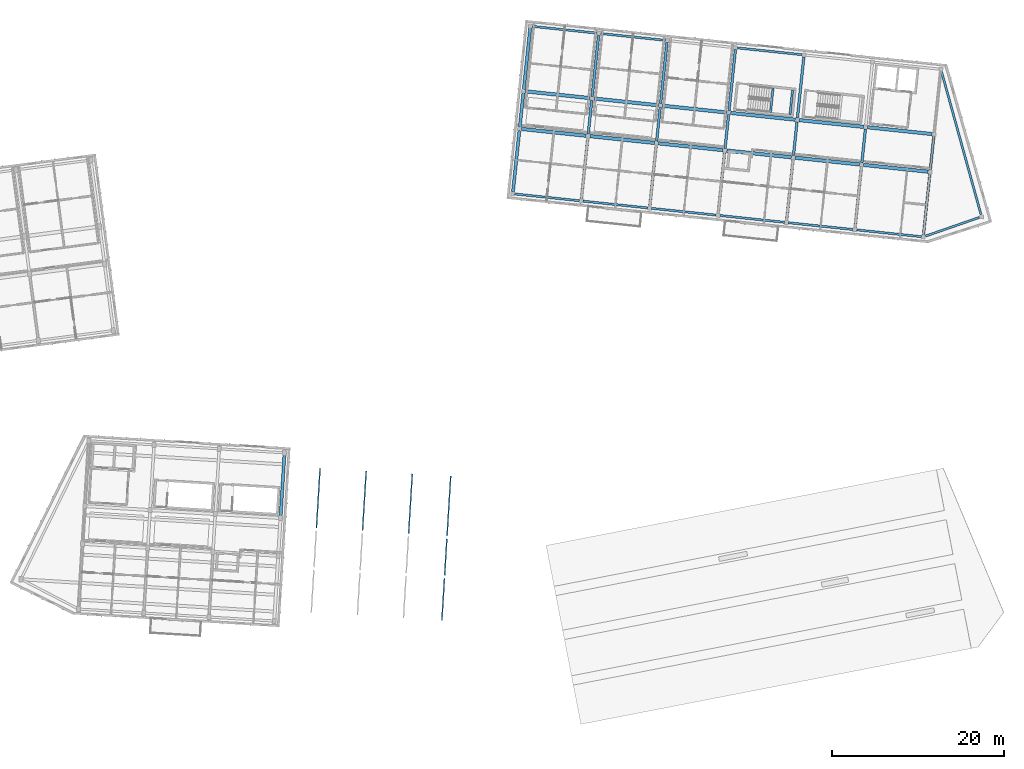
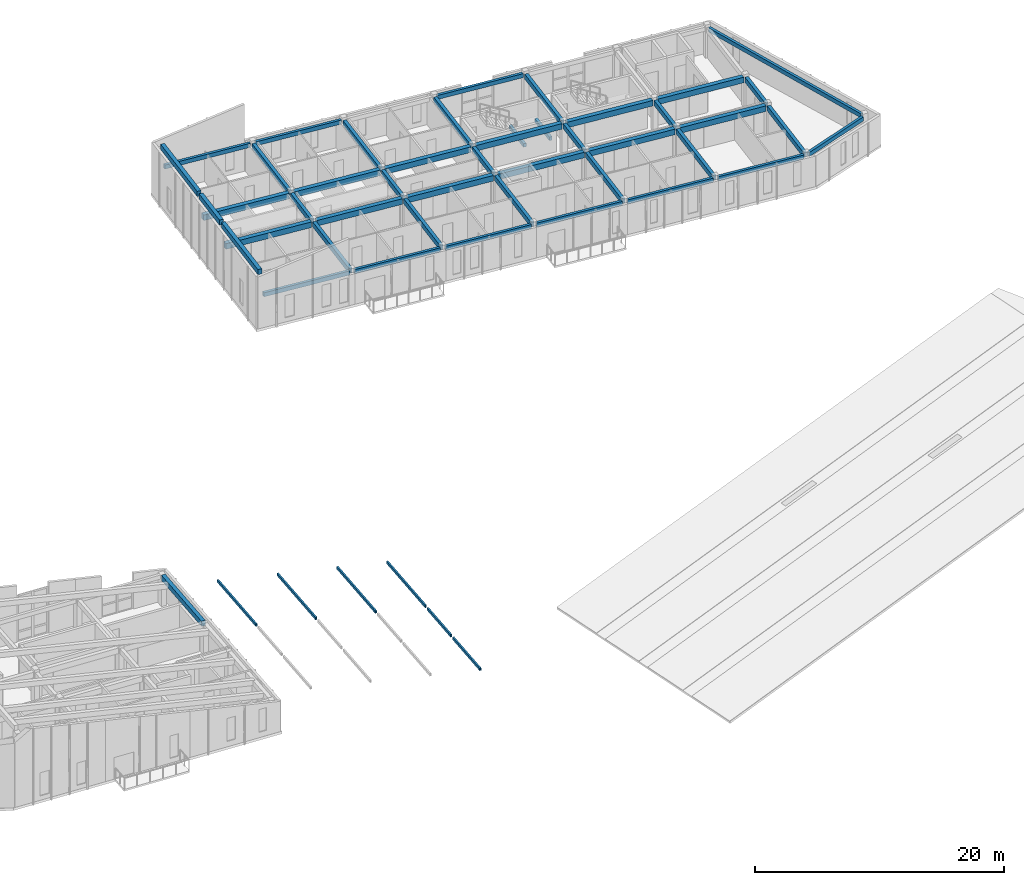
# One storey, part 10 of 45: 45 beams, 6 members.
"""IFC4 building model written with IfcOpenShell, lengths in metres."""

from ifc_helpers import new_model, si_unit, direction, frame, origin, origin_2d, place, context, subcontext, project, spatial, rectangle, hollow_rectangle, extrude, material, material_profile, profile_set, type_object, element, save


model = new_model("IFC4")

# Units and contexts
model_context = context("Model", 3, precision=1e-05, world=origin(), true_north=direction((0.0, 1.0)))
body_context = subcontext(model_context, "Body", "Model", "MODEL_VIEW")
ifc_project = project(units=[si_unit("LENGTHUNIT", "METRE"), si_unit("AREAUNIT", "SQUARE_METRE"), si_unit("VOLUMEUNIT", "CUBIC_METRE"), si_unit("PLANEANGLEUNIT", "RADIAN"), si_unit("MASSUNIT", "GRAM", prefix="KILO")], contexts=[model_context])

# Site, building, storey
site_placement = place(None, origin())
site = spatial("IfcSite", under=ifc_project, at=site_placement, CompositionType="ELEMENT")
building_placement = place(site_placement, origin())
building = spatial("IfcBuilding", under=site, at=building_placement, Name="Kestramere Prow Commons", CompositionType="ELEMENT")
storey_placement = place(building_placement, frame((0.0, 0.0, 31.14990234375)))
storey = spatial("IfcBuildingStorey", under=building, at=storey_placement, Name="L09", CompositionType="ELEMENT", Elevation=31.14990234375)

# Beams
ifc_material_1 = material(Name="Precast concrete C40/50", Category="concrete")
ifc_material_profile_1 = material_profile(ifc_material_1, rectangle(XDim=0.39990234375, YDim=0.550048828125, at=origin_2d()), Name="PC-BM 400x550")
ifc_profile_set_1 = profile_set([ifc_material_profile_1], Name="Precast concrete C40/50")
beam_type_1 = type_object("IfcBeamType", Name="BM-B1 PC-BM 400x550", PredefinedType="BEAM", material=ifc_profile_set_1)
beam_1_placement = place(storey_placement, frame((111.01806640625, 102.3349609375, 2.72509765625), z_axis=(0.994520503149, -0.104541708502, 0.0), x_axis=(0.104541708502, 0.994520503149, 0.0)))
element("IfcBeam", 1, at=beam_1_placement, inside=storey, type_object=beam_type_1, Name="Block B L09 Longitudinal Beam 2-1", PredefinedType="BEAM", context=body_context, shape_type="SweptSolid", body=[
    extrude(rectangle(XDim=0.39990234375, YDim=0.550048828125, at=origin_2d()), origin(), (0.0, 0.0, 1.0), 7.550048828125),
])
beam_2_placement = place(storey_placement, frame((118.974365234375, 101.49853515625, 2.72509765625), z_axis=(0.994523511366, -0.104513086937, 0.0), x_axis=(0.104513086937, 0.994523511366, 0.0)))
element("IfcBeam", 2, at=beam_2_placement, inside=storey, type_object=beam_type_1, Name="Block B L09 Longitudinal Beam 2-2", PredefinedType="BEAM", context=body_context, shape_type="SweptSolid", body=[
    extrude(rectangle(XDim=0.39990234375, YDim=0.550048828125, at=origin_2d()), origin(), (0.0, 0.0, 1.0), 7.5498046875),
])
beam_3_placement = place(storey_placement, frame((126.930419921875, 100.662353515625, 2.72509765625), z_axis=(0.994523864565, -0.104509725916, 0.0), x_axis=(0.104509725916, 0.994523864565, 0.0)))
element("IfcBeam", 3, at=beam_3_placement, inside=storey, type_object=beam_type_1, Name="Block B L09 Longitudinal Beam 2-3", PredefinedType="BEAM", context=body_context, shape_type="SweptSolid", body=[
    extrude(rectangle(XDim=0.39990234375, YDim=0.550048828125, at=origin_2d()), origin(), (0.0, 0.0, 1.0), 7.550048828125),
])
beam_4_placement = place(storey_placement, frame((134.88671875, 99.826171875, 2.72509765625), z_axis=(0.994520149735, -0.104545070528, 0.0), x_axis=(0.104545070528, 0.994520149735, 0.0)))
element("IfcBeam", 4, at=beam_4_placement, inside=storey, type_object=beam_type_1, Name="Block B L09 Longitudinal Beam 2-4", PredefinedType="BEAM", context=body_context, shape_type="SweptSolid", body=[
    extrude(rectangle(XDim=0.39990234375, YDim=0.550048828125, at=origin_2d()), origin(), (0.0, 0.0, 1.0), 7.5498046875),
])
beam_5_placement = place(storey_placement, frame((142.8427734375, 98.989990234375, 2.72509765625), z_axis=(0.994520503149, -0.104541708502, 0.0), x_axis=(0.104541708502, 0.994520503149, 0.0)))
element("IfcBeam", 5, at=beam_5_placement, inside=storey, type_object=beam_type_1, Name="Block B L09 Longitudinal Beam 2-5", PredefinedType="BEAM", context=body_context, shape_type="SweptSolid", body=[
    extrude(rectangle(XDim=0.39990234375, YDim=0.550048828125, at=origin_2d()), origin(), (0.0, 0.0, 1.0), 7.550048828125),
])
beam_6_placement = place(storey_placement, frame((150.799072265625, 98.15380859375, 2.72509765625), z_axis=(0.994520149735, -0.104545070528, 0.0), x_axis=(0.104545070528, 0.994520149735, 0.0)))
element("IfcBeam", 6, at=beam_6_placement, inside=storey, type_object=beam_type_1, Name="Block B L09 Longitudinal Beam 2-6", PredefinedType="BEAM", context=body_context, shape_type="SweptSolid", body=[
    extrude(rectangle(XDim=0.39990234375, YDim=0.550048828125, at=origin_2d()), origin(), (0.0, 0.0, 1.0), 7.5498046875),
])
beam_7_placement = place(storey_placement, frame((111.47802734375, 106.710693359375, 2.72509765625), z_axis=(0.994523864565, -0.104509725916, 0.0), x_axis=(0.104509725916, 0.994523864565, 0.0)))
element("IfcBeam", 7, at=beam_7_placement, inside=storey, type_object=beam_type_1, Name="Block B L09 Longitudinal Beam 3-1", PredefinedType="BEAM", context=body_context, shape_type="SweptSolid", body=[
    extrude(rectangle(XDim=0.39990234375, YDim=0.550048828125, at=origin_2d()), origin(), (0.0, 0.0, 1.0), 7.550048828125),
])
beam_8_placement = place(storey_placement, frame((119.434326171875, 105.87451171875, 2.72509765625), z_axis=(0.994520149735, -0.104545070528, 0.0), x_axis=(0.104545070528, 0.994520149735, 0.0)))
element("IfcBeam", 8, at=beam_8_placement, inside=storey, type_object=beam_type_1, Name="Block B L09 Longitudinal Beam 3-2", PredefinedType="BEAM", context=body_context, shape_type="SweptSolid", body=[
    extrude(rectangle(XDim=0.39990234375, YDim=0.550048828125, at=origin_2d()), origin(), (0.0, 0.0, 1.0), 7.5498046875),
])
beam_9_placement = place(storey_placement, frame((127.390380859375, 105.038330078125, 2.72509765625), z_axis=(0.994520503149, -0.104541708502, 0.0), x_axis=(0.104541708502, 0.994520503149, 0.0)))
element("IfcBeam", 9, at=beam_9_placement, inside=storey, type_object=beam_type_1, Name="Block B L09 Longitudinal Beam 3-3", PredefinedType="BEAM", context=body_context, shape_type="SweptSolid", body=[
    extrude(rectangle(XDim=0.39990234375, YDim=0.550048828125, at=origin_2d()), origin(), (0.0, 0.0, 1.0), 7.550048828125),
])
beam_10_placement = place(storey_placement, frame((135.3466796875, 104.2021484375, 2.72509765625), z_axis=(0.994520149735, -0.104545070528, 0.0), x_axis=(0.104545070528, 0.994520149735, 0.0)))
element("IfcBeam", 10, at=beam_10_placement, inside=storey, type_object=beam_type_1, Name="Block B L09 Longitudinal Beam 3-4", PredefinedType="BEAM", context=body_context, shape_type="SweptSolid", body=[
    extrude(rectangle(XDim=0.39990234375, YDim=0.550048828125, at=origin_2d()), origin(), (0.0, 0.0, 1.0), 7.5498046875),
])
beam_11_placement = place(storey_placement, frame((143.302734375, 103.36572265625, 2.72509765625), z_axis=(0.994523864565, -0.104509725916, 0.0), x_axis=(0.104509725916, 0.994523864565, 0.0)))
element("IfcBeam", 11, at=beam_11_placement, inside=storey, type_object=beam_type_1, Name="Block B L09 Longitudinal Beam 3-5", PredefinedType="BEAM", context=body_context, shape_type="SweptSolid", body=[
    extrude(rectangle(XDim=0.39990234375, YDim=0.550048828125, at=origin_2d()), origin(), (0.0, 0.0, 1.0), 7.550048828125),
])
beam_12_placement = place(storey_placement, frame((151.259033203125, 102.529541015625, 2.72509765625), z_axis=(0.994523511366, -0.104513086937, 0.0), x_axis=(0.104513086937, 0.994523511366, 0.0)))
element("IfcBeam", 12, at=beam_12_placement, inside=storey, type_object=beam_type_1, Name="Block B L09 Longitudinal Beam 3-6", PredefinedType="BEAM", context=body_context, shape_type="SweptSolid", body=[
    extrude(rectangle(XDim=0.39990234375, YDim=0.550048828125, at=origin_2d()), origin(), (0.0, 0.0, 1.0), 7.5498046875),
])
ifc_material_2 = material(Name="Concrete C40/50", Category="concrete")
ifc_material_profile_2 = material_profile(ifc_material_2, rectangle(XDim=0.25, YDim=0.35009765625, at=origin_2d()), Name="PC-BM 250x350")
ifc_profile_set_2 = profile_set([ifc_material_profile_2], Name="Concrete C40/50")
beam_type_2 = type_object("IfcBeamType", Name="BM-ST-TRIM", PredefinedType="BEAM", material=ifc_profile_set_2)
for number, where, z_axis, x_axis, name in (
    (13, (139.971923828125, 104.248779296875, 1.25), (0.104495697268, 0.994525338668, 0.0), (-0.994525338668, 0.104495697268, 0.0), "ST-B1 L09 Landing Trimmer Beam 1A"),
    (14, (142.2392578125, 104.010498046875, 1.25), (0.104579248847, 0.994516556278, 0.0), (-0.994516556278, 0.104579248847, 0.0), "ST-B1 L09 Landing Trimmer Beam 1B"),
):
    element("IfcBeam", number, at=place(storey_placement, frame(where, z_axis=z_axis, x_axis=x_axis)), inside=storey, type_object=beam_type_2, Name=name, PredefinedType="BEAM", context=body_context, shape_type="SweptSolid", body=[
        extrude(rectangle(XDim=0.25, YDim=0.35009765625, at=origin_2d()), origin(), (0.0, 0.0, 1.0), 2.89013671875),
    ])
ifc_material_profile_3 = material_profile(ifc_material_1, rectangle(XDim=0.300048828125, YDim=0.5, at=origin_2d()), Name="PC-BM 300x500")
ifc_profile_set_3 = profile_set([ifc_material_profile_3], Name="Precast concrete C40/50")
beam_type_3 = type_object("IfcBeamType", Name="BM-TIE-01 PC-BM 300x500", PredefinedType="BEAM", material=ifc_profile_set_3)
beam_13_placement = place(storey_placement, frame((117.979736328125, 94.1875, 2.75), z_axis=(0.104519481265, 0.994522839374, 0.0), x_axis=(-0.994522839374, 0.104519481265, 0.0)))
element("IfcBeam", 15, at=beam_13_placement, inside=storey, type_object=beam_type_3, Name="Block B L09 Transverse Beam 2-1", PredefinedType="BEAM", context=body_context, shape_type="SweptSolid", body=[
    extrude(rectangle(XDim=0.300048828125, YDim=0.5, at=origin_2d()), origin(), (0.0, 0.0, 1.0), 7.14990234375),
])
beam_14_placement = place(storey_placement, frame((118.774169921875, 101.745849609375, 2.75), z_axis=(0.10451426563, 0.994523387498, 0.0), x_axis=(-0.994523387498, 0.10451426563, 0.0)))
element("IfcBeam", 16, at=beam_14_placement, inside=storey, type_object=beam_type_3, Name="Block B L09 Transverse Beam 2-2", PredefinedType="BEAM", context=body_context, shape_type="SweptSolid", body=[
    extrude(rectangle(XDim=0.300048828125, YDim=0.5, at=origin_2d()), origin(), (0.0, 0.0, 1.0), 3.9501953125),
])
beam_15_placement = place(storey_placement, frame((119.234130859375, 106.121826171875, 2.75), z_axis=(0.104519481265, 0.994522839374, 0.0), x_axis=(-0.994522839374, 0.104519481265, 0.0)))
element("IfcBeam", 17, at=beam_15_placement, inside=storey, type_object=beam_type_3, Name="Block B L09 Transverse Beam 2-3", PredefinedType="BEAM", context=body_context, shape_type="SweptSolid", body=[
    extrude(rectangle(XDim=0.300048828125, YDim=0.5, at=origin_2d()), origin(), (0.0, 0.0, 1.0), 7.14990234375),
])
beam_16_placement = place(storey_placement, frame((125.935791015625, 93.351318359375, 2.75), z_axis=(0.104553253602, 0.994519289487, 0.0), x_axis=(-0.994519289487, 0.104553253602, 0.0)))
element("IfcBeam", 18, at=beam_16_placement, inside=storey, type_object=beam_type_3, Name="Block B L09 Transverse Beam 3-1", PredefinedType="BEAM", context=body_context, shape_type="SweptSolid", body=[
    extrude(rectangle(XDim=0.300048828125, YDim=0.5, at=origin_2d()), origin(), (0.0, 0.0, 1.0), 7.150146484375),
])
beam_17_placement = place(storey_placement, frame((126.730224609375, 100.90966796875, 2.75), z_axis=(0.10451426563, 0.994523387498, 0.0), x_axis=(-0.994523387498, 0.10451426563, 0.0)))
element("IfcBeam", 19, at=beam_17_placement, inside=storey, type_object=beam_type_3, Name="Block B L09 Transverse Beam 3-2", PredefinedType="BEAM", context=body_context, shape_type="SweptSolid", body=[
    extrude(rectangle(XDim=0.300048828125, YDim=0.5, at=origin_2d()), origin(), (0.0, 0.0, 1.0), 3.9501953125),
])
for number, where, z_axis, x_axis, name in (
    (20, (127.190185546875, 105.28564453125, 2.75), (0.104519481265, 0.994522839374, 0.0), (-0.994522839374, 0.104519481265, 0.0), "Block B L09 Transverse Beam 3-3"),
    (21, (133.89208984375, 92.51513671875, 2.75), (0.104519481265, 0.994522839374, 0.0), (-0.994522839374, 0.104519481265, 0.0), "Block B L09 Transverse Beam 4-1"),
):
    element("IfcBeam", number, at=place(storey_placement, frame(where, z_axis=z_axis, x_axis=x_axis)), inside=storey, type_object=beam_type_3, Name=name, PredefinedType="BEAM", context=body_context, shape_type="SweptSolid", body=[
        extrude(rectangle(XDim=0.300048828125, YDim=0.5, at=origin_2d()), origin(), (0.0, 0.0, 1.0), 7.14990234375),
    ])
beam_18_placement = place(storey_placement, frame((134.6865234375, 100.073486328125, 2.75), z_axis=(0.104520690275, 0.994522712312, 0.0), x_axis=(-0.994522712312, 0.104520690275, 0.0)))
element("IfcBeam", 22, at=beam_18_placement, inside=storey, type_object=beam_type_3, Name="Block B L09 Transverse Beam 4-2", PredefinedType="BEAM", context=body_context, shape_type="SweptSolid", body=[
    extrude(rectangle(XDim=0.300048828125, YDim=0.5, at=origin_2d()), origin(), (0.0, 0.0, 1.0), 3.949951171875),
])
beam_19_placement = place(storey_placement, frame((135.146484375, 104.449462890625, 2.75), z_axis=(0.104523030711, 0.994522466338, 0.0), x_axis=(-0.994522466338, 0.104523030711, 0.0)))
element("IfcBeam", 23, at=beam_19_placement, inside=storey, type_object=beam_type_3, Name="Block B L09 Transverse Beam 4-3", PredefinedType="BEAM", context=body_context, shape_type="SweptSolid", body=[
    extrude(rectangle(XDim=0.300048828125, YDim=0.5, at=origin_2d()), origin(), (0.0, 0.0, 1.0), 7.149658203125),
])
beam_20_placement = place(storey_placement, frame((141.84814453125, 91.678955078125, 2.75), z_axis=(0.104553253602, 0.994519289487, 0.0), x_axis=(-0.994519289487, 0.104553253602, 0.0)))
element("IfcBeam", 24, at=beam_20_placement, inside=storey, type_object=beam_type_3, Name="Block B L09 Transverse Beam 5-1", PredefinedType="BEAM", context=body_context, shape_type="SweptSolid", body=[
    extrude(rectangle(XDim=0.300048828125, YDim=0.5, at=origin_2d()), origin(), (0.0, 0.0, 1.0), 7.150146484375),
])
beam_21_placement = place(storey_placement, frame((142.642578125, 99.2373046875, 2.75), z_axis=(0.104520690275, 0.994522712312, 0.0), x_axis=(-0.994522712312, 0.104520690275, 0.0)))
element("IfcBeam", 25, at=beam_21_placement, inside=storey, type_object=beam_type_3, Name="Block B L09 Transverse Beam 5-2", PredefinedType="BEAM", context=body_context, shape_type="SweptSolid", body=[
    extrude(rectangle(XDim=0.300048828125, YDim=0.5, at=origin_2d()), origin(), (0.0, 0.0, 1.0), 3.949951171875),
])
for number, where, z_axis, x_axis, name in (
    (26, (143.1025390625, 103.613037109375, 2.75), (0.104519481265, 0.994522839374, 0.0), (-0.994522839374, 0.104519481265, 0.0), "Block B L09 Transverse Beam 5-3"),
    (27, (149.804443359375, 90.842529296875, 2.75), (0.104519481265, 0.994522839374, 0.0), (-0.994522839374, 0.104519481265, 0.0), "Block B L09 Transverse Beam 6-1"),
):
    element("IfcBeam", number, at=place(storey_placement, frame(where, z_axis=z_axis, x_axis=x_axis)), inside=storey, type_object=beam_type_3, Name=name, PredefinedType="BEAM", context=body_context, shape_type="SweptSolid", body=[
        extrude(rectangle(XDim=0.300048828125, YDim=0.5, at=origin_2d()), origin(), (0.0, 0.0, 1.0), 7.14990234375),
    ])
beam_22_placement = place(storey_placement, frame((150.598876953125, 98.40087890625, 2.75), z_axis=(0.10451426563, 0.994523387498, 0.0), x_axis=(-0.994523387498, 0.10451426563, 0.0)))
element("IfcBeam", 28, at=beam_22_placement, inside=storey, type_object=beam_type_3, Name="Block B L09 Transverse Beam 6-2", PredefinedType="BEAM", context=body_context, shape_type="SweptSolid", body=[
    extrude(rectangle(XDim=0.300048828125, YDim=0.5, at=origin_2d()), origin(), (0.0, 0.0, 1.0), 3.9501953125),
])
beam_23_placement = place(storey_placement, frame((157.760498046875, 90.00634765625, 2.75), z_axis=(0.104553253602, 0.994519289487, 0.0), x_axis=(-0.994519289487, 0.104553253602, 0.0)))
element("IfcBeam", 29, at=beam_23_placement, inside=storey, type_object=beam_type_3, Name="Block B L09 Transverse Beam 7-1", PredefinedType="BEAM", context=body_context, shape_type="SweptSolid", body=[
    extrude(rectangle(XDim=0.300048828125, YDim=0.5, at=origin_2d()), origin(), (0.0, 0.0, 1.0), 7.150146484375),
])
beam_24_placement = place(storey_placement, frame((158.554931640625, 97.564697265625, 2.75), z_axis=(0.10451426563, 0.994523387498, 0.0), x_axis=(-0.994523387498, 0.10451426563, 0.0)))
element("IfcBeam", 30, at=beam_24_placement, inside=storey, type_object=beam_type_3, Name="Block B L09 Transverse Beam 7-2", PredefinedType="BEAM", context=body_context, shape_type="SweptSolid", body=[
    extrude(rectangle(XDim=0.300048828125, YDim=0.5, at=origin_2d()), origin(), (0.0, 0.0, 1.0), 3.9501953125),
])

# Members
ifc_material_3 = material(Name="Steel S355JR", Category="steel")
ifc_material_profile_4 = material_profile(ifc_material_3, hollow_rectangle(XDim=0.14990234375, YDim=0.25, WallThickness=0.010009765625, at=origin_2d()), Name="RHS 250x150x10")
ifc_profile_set_4 = profile_set([ifc_material_profile_4], Name="Steel S355JR")
member_type = type_object("IfcMemberType", Name="PUR-01 RHS 250x150x10", PredefinedType="PURLIN", material=ifc_profile_set_4)
for number, where, z_axis, x_axis, name in (
    (31, (87.167236328125, 55.95361328125, 1.9228515625), (0.061017927649, 0.998136670254, 0.0), (-0.998136670254, 0.061017927649, 0.0), "Block C Prow Roof Purlin 1-3"),
    (32, (92.5283203125, 55.625732421875, 0.88916015625), (0.061052925088, 0.99813453018, 0.0), (-0.99813453018, 0.061052925088, 0.0), "Block C Prow Roof Purlin 2-3"),
    (33, (97.889404296875, 55.2978515625, -0.14453125), (0.061052925088, 0.99813453018, 0.0), (-0.99813453018, 0.061052925088, 0.0), "Block C Prow Roof Purlin 3-3"),
):
    element("IfcMember", number, at=place(storey_placement, frame(where, z_axis=z_axis, x_axis=x_axis)), inside=storey, type_object=member_type, Name=name, PredefinedType="PURLIN", context=body_context, shape_type="SweptSolid", body=[
        extrude(hollow_rectangle(XDim=0.14990234375, YDim=0.25, WallThickness=0.010009765625, at=origin_2d()), origin(), (0.0, 0.0, 1.0), 6.949951171875),
    ])
member_1_placement = place(storey_placement, frame((101.755859375, 45.19287109375, -1.005859375), z_axis=(0.061035098836, 0.998135620399, 0.0), x_axis=(-0.998135620399, 0.061035098836, 0.0)))
element("IfcMember", 34, at=member_1_placement, inside=storey, type_object=member_type, Name="Block C Prow Roof Purlin 4-1", PredefinedType="PURLIN", context=body_context, shape_type="SweptSolid", body=[
    extrude(hollow_rectangle(XDim=0.14990234375, YDim=0.25, WallThickness=0.010009765625, at=origin_2d()), origin(), (0.0, 0.0, 1.0), 4.89990234375),
])
member_2_placement = place(storey_placement, frame((102.076416015625, 50.43310546875, -1.005859375), z_axis=(0.06100494857, 0.998137463604, 0.0), x_axis=(-0.998137463604, 0.06100494857, 0.0)))
element("IfcMember", 35, at=member_2_placement, inside=storey, type_object=member_type, Name="Block C Prow Roof Purlin 4-2", PredefinedType="PURLIN", context=body_context, shape_type="SweptSolid", body=[
    extrude(hollow_rectangle(XDim=0.14990234375, YDim=0.25, WallThickness=0.010009765625, at=origin_2d()), origin(), (0.0, 0.0, 1.0), 4.25),
])
member_3_placement = place(storey_placement, frame((102.357177734375, 55.0244140625, -1.005859375), z_axis=(0.061050784481, 0.998134661113, 0.0), x_axis=(-0.998134661113, 0.061050784481, 0.0)))
element("IfcMember", 36, at=member_3_placement, inside=storey, type_object=member_type, Name="Block C Prow Roof Purlin 4-3", PredefinedType="PURLIN", context=body_context, shape_type="SweptSolid", body=[
    extrude(hollow_rectangle(XDim=0.14990234375, YDim=0.25, WallThickness=0.010009765625, at=origin_2d()), origin(), (0.0, 0.0, 1.0), 6.9501953125),
])

# Beams
ifc_material_profile_5 = material_profile(ifc_material_1, rectangle(XDim=0.35009765625, YDim=0.5, at=origin_2d()), Name="PC-RB 350x500")
ifc_profile_set_5 = profile_set([ifc_material_profile_5], Name="Precast concrete C40/50")
beam_type_4 = type_object("IfcBeamType", Name="RB-PR-02 PC-RB 350x500", PredefinedType="BEAM", material=ifc_profile_set_5)
beam_25_placement = place(storey_placement, frame((110.018798828125, 94.97900390625, 4.947021484375), z_axis=(0.104533825935, 0.994521331715, 0.0), x_axis=(-0.994521331715, 0.104533825935, 0.0)))
element("IfcBeam", 37, at=beam_25_placement, inside=storey, type_object=beam_type_4, Name="Block B Prow Eave Transverse Girder 1", PredefinedType="BEAM", context=body_context, shape_type="SweptSolid", body=[
    extrude(rectangle(XDim=0.35009765625, YDim=0.5, at=origin_2d()), origin(), (0.0, 0.0, 1.0), 7.239990234375),
])
beam_26_placement = place(storey_placement, frame((110.813232421875, 102.537353515625, 4.947021484375), z_axis=(0.104546370699, 0.994520013058, 0.0), x_axis=(-0.994520013058, 0.104546370699, 0.0)))
element("IfcBeam", 38, at=beam_26_placement, inside=storey, type_object=beam_type_4, Name="Block B Prow Eave Transverse Girder 2", PredefinedType="BEAM", context=body_context, shape_type="SweptSolid", body=[
    extrude(rectangle(XDim=0.35009765625, YDim=0.5, at=origin_2d()), origin(), (0.0, 0.0, 1.0), 4.0400390625),
])
beam_27_placement = place(storey_placement, frame((111.273193359375, 106.913330078125, 4.947021484375), z_axis=(0.104537331683, 0.99452096322, 0.0), x_axis=(-0.99452096322, 0.104537331683, 0.0)))
element("IfcBeam", 39, at=beam_27_placement, inside=storey, type_object=beam_type_4, Name="Block B Prow Eave Transverse Girder 3", PredefinedType="BEAM", context=body_context, shape_type="SweptSolid", body=[
    extrude(rectangle(XDim=0.35009765625, YDim=0.5, at=origin_2d()), origin(), (0.0, 0.0, 1.0), 7.23974609375),
])
beam_28_placement = place(storey_placement, frame((83.0009765625, 57.265380859375, 2.75830078125), z_axis=(0.061068241126, 0.998133593226, 0.0), x_axis=(-0.998133593226, 0.061068241126, 0.0)))
element("IfcBeam", 40, at=beam_28_placement, inside=storey, type_object=beam_type_4, Name="Block C Prow Mid-Slope Transverse Girder 3", PredefinedType="BEAM", context=body_context, shape_type="SweptSolid", body=[
    extrude(rectangle(XDim=0.35009765625, YDim=0.5, at=origin_2d()), origin(), (0.0, 0.0, 1.0), 7.239990234375),
])
ifc_material_profile_6 = material_profile(ifc_material_1, rectangle(XDim=0.25, YDim=0.39990234375, at=origin_2d()), Name="PC-SP 250x400")
ifc_profile_set_6 = profile_set([ifc_material_profile_6], Name="Precast concrete C40/50")
beam_type_5 = type_object("IfcBeamType", Name="SP-EXT-01 PC-SP 250x400", PredefinedType="SPANDREL", material=ifc_profile_set_6)
beam_29_placement = place(storey_placement, frame((158.00146484375, 89.87451171875, 2.800048828125), z_axis=(0.944739829863, 0.327821069901, 0.0), x_axis=(-0.327821069901, 0.944739829863, 0.0)))
element("IfcBeam", 41, at=beam_29_placement, inside=storey, type_object=beam_type_5, Name="Block B L09 Prow Facet Beam S", PredefinedType="SPANDREL", context=body_context, shape_type="SweptSolid", body=[
    extrude(rectangle(XDim=0.25, YDim=0.39990234375, at=origin_2d()), origin(), (0.0, 0.0, 1.0), 6.619873046875),
])
beam_30_placement = place(storey_placement, frame((159.8603515625, 109.00537109375, 2.800048828125), z_axis=(0.266276973363, -0.963896557446, 0.0), x_axis=(0.963896557446, 0.266276973363, 0.0)))
element("IfcBeam", 42, at=beam_30_placement, inside=storey, type_object=beam_type_5, Name="Block B L09 Prow Facet Beam N", PredefinedType="SPANDREL", context=body_context, shape_type="SweptSolid", body=[
    extrude(rectangle(XDim=0.25, YDim=0.39990234375, at=origin_2d()), origin(), (0.0, 0.0, 1.0), 17.220703125),
])
for number, where, z_axis, x_axis, name in (
    (43, (110.223876953125, 94.7763671875, 2.800048828125), (0.994523511366, -0.104513086937, 0.0), (0.104513086937, 0.994523511366, 0.0), "Block B L09 Longitudinal Beam 1-1"),
    (44, (118.179931640625, 93.940185546875, 2.800048828125), (0.994523511366, -0.104513086937, 0.0), (0.104513086937, 0.994523511366, 0.0), "Block B L09 Longitudinal Beam 1-2"),
    (45, (126.13623046875, 93.10400390625, 2.800048828125), (0.994523511366, -0.104513086937, 0.0), (0.104513086937, 0.994523511366, 0.0), "Block B L09 Longitudinal Beam 1-3"),
    (46, (134.09228515625, 92.267822265625, 2.800048828125), (0.994520149735, -0.104545070528, 0.0), (0.104545070528, 0.994520149735, 0.0), "Block B L09 Longitudinal Beam 1-4"),
    (47, (142.048583984375, 91.431640625, 2.800048828125), (0.994520149735, -0.104545070528, 0.0), (0.104545070528, 0.994520149735, 0.0), "Block B L09 Longitudinal Beam 1-5"),
    (48, (150.004638671875, 90.595458984375, 2.800048828125), (0.994520149735, -0.104545070528, 0.0), (0.104545070528, 0.994520149735, 0.0), "Block B L09 Longitudinal Beam 1-6"),
):
    element("IfcBeam", number, at=place(storey_placement, frame(where, z_axis=z_axis, x_axis=x_axis)), inside=storey, type_object=beam_type_5, Name=name, PredefinedType="SPANDREL", context=body_context, shape_type="SweptSolid", body=[
        extrude(rectangle(XDim=0.25, YDim=0.39990234375, at=origin_2d()), origin(), (0.0, 0.0, 1.0), 7.5498046875),
    ])
beam_31_placement = place(storey_placement, frame((112.2724609375, 114.26904296875, 2.800048828125), z_axis=(0.994523864565, -0.104509725916, 0.0), x_axis=(0.104509725916, 0.994523864565, 0.0)))
element("IfcBeam", 49, at=beam_31_placement, inside=storey, type_object=beam_type_5, Name="Block B L09 Longitudinal Beam 4-1", PredefinedType="SPANDREL", context=body_context, shape_type="SweptSolid", body=[
    extrude(rectangle(XDim=0.25, YDim=0.39990234375, at=origin_2d()), origin(), (0.0, 0.0, 1.0), 7.550048828125),
])
for number, where, z_axis, x_axis, name in (
    (50, (120.228759765625, 113.432861328125, 2.800048828125), (0.994523511366, -0.104513086937, 0.0), (0.104513086937, 0.994523511366, 0.0), "Block B L09 Longitudinal Beam 4-2"),
    (51, (136.14111328125, 111.760498046875, 2.800048828125), (0.994520149735, -0.104545070528, 0.0), (0.104545070528, 0.994520149735, 0.0), "Block B L09 Longitudinal Beam 4-4"),
):
    element("IfcBeam", number, at=place(storey_placement, frame(where, z_axis=z_axis, x_axis=x_axis)), inside=storey, type_object=beam_type_5, Name=name, PredefinedType="SPANDREL", context=body_context, shape_type="SweptSolid", body=[
        extrude(rectangle(XDim=0.25, YDim=0.39990234375, at=origin_2d()), origin(), (0.0, 0.0, 1.0), 7.5498046875),
    ])

save(model, "model.ifc")
